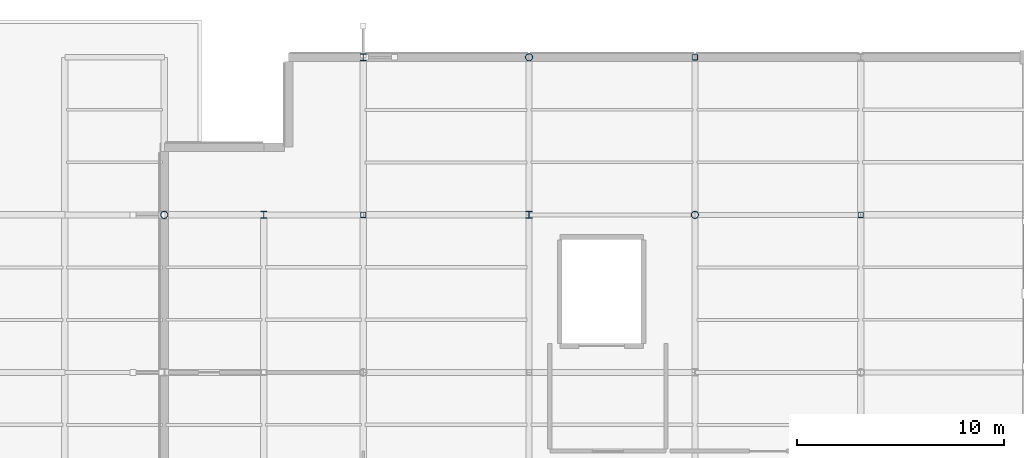
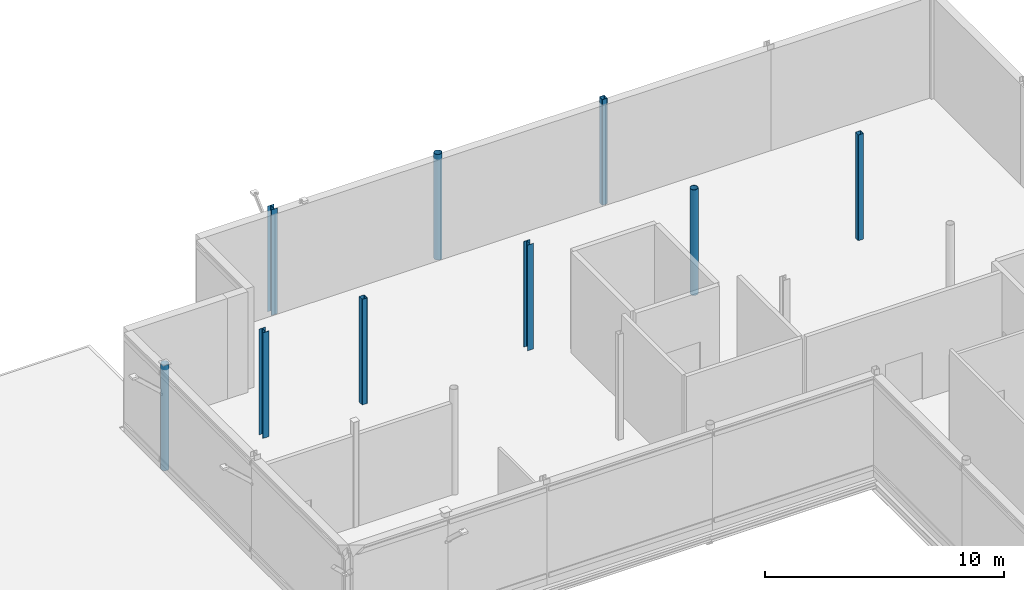
# One storey, part 21 of 147: 9 columns.
"""IFC4 building model written with IfcOpenShell, lengths in metres."""

from ifc_helpers import new_model, si_unit, direction, frame, origin, origin_2d, place, context, subcontext, project, spatial, hollow_rectangle, hollow_circle, i_section, extrude, material, material_profile, profile_set, type_object, element, save


model = new_model("IFC4")

# Units and contexts
model_context = context("Model", 3, precision=1e-05, world=origin(), true_north=direction((0.0, 1.0)))
body_context = subcontext(model_context, "Body", "Model", "MODEL_VIEW")
ifc_project = project(units=[si_unit("LENGTHUNIT", "METRE"), si_unit("AREAUNIT", "SQUARE_METRE"), si_unit("VOLUMEUNIT", "CUBIC_METRE"), si_unit("PLANEANGLEUNIT", "RADIAN"), si_unit("MASSUNIT", "GRAM", prefix="KILO")], contexts=[model_context])

# Site, building, storey
site_placement = place(None, origin())
site = spatial("IfcSite", under=ifc_project, at=site_placement, CompositionType="ELEMENT")
building_placement = place(site_placement, origin())
building = spatial("IfcBuilding", under=site, at=building_placement, Name="Vekula Escarpment Museum", CompositionType="ELEMENT")
storey_placement = place(building_placement, frame((0.0, 0.0, 7.800048828125)))
storey = spatial("IfcBuildingStorey", under=building, at=storey_placement, Name="L02", CompositionType="ELEMENT", Elevation=7.800048828125)

# Columns
ifc_material_1 = material(Name="Steel S355", Category="steel")
ifc_material_profile_1 = material_profile(ifc_material_1, hollow_circle(Radius=0.177734375, WallThickness=0.01611328125, at=origin_2d()), Name="CHS 355.6x16")
ifc_profile_set_1 = profile_set([ifc_material_profile_1], Name="Steel S355")
column_type_1 = type_object("IfcColumnType", Name="COL-S-CHS355", PredefinedType="COLUMN", material=ifc_profile_set_1)
for number, where, z_axis, x_axis, name in (
    (1, (14.39990234375, 128.39990234375, 0.0), (0.0, 0.0, 1.0), (1.0, 0.0, 0.0), "Column L02 (14.4,128.4)"),
    (2, (32.0, 136.0, 0.0), (0.0, 0.0, 1.0), (1.0, 0.0, 0.0), "Column L02 (32.0,136.0)"),
    (3, (40.0, 128.39990234375, 0.0), (0.0, 0.0, 1.0), (1.0, 0.0, 0.0), "Column L02 (40.0,128.4)"),
):
    element("IfcColumn", number, at=place(storey_placement, frame(where, z_axis=z_axis, x_axis=x_axis)), inside=storey, type_object=column_type_1, Name=name, PredefinedType="COLUMN", context=body_context, shape_type="SweptSolid", body=[
        extrude(hollow_circle(Radius=0.177734375, WallThickness=0.01611328125, at=origin_2d()), origin(), (0.0, 0.0, 1.0), 5.39990234375),
    ])
ifc_material_2 = material(Name="Steel S355", Category="steel")
ifc_material_profile_2 = material_profile(ifc_material_2, i_section(OverallWidth=0.300048828125, OverallDepth=0.330078125, WebThickness=0.009521484375, FlangeThickness=0.0166015625, FilletRadius=0.027099609375, at=origin_2d()), Name="HEA 340")
ifc_profile_set_2 = profile_set([ifc_material_profile_2], Name="Steel S355")
column_type_2 = type_object("IfcColumnType", Name="COL-S-HEA340", PredefinedType="COLUMN", material=ifc_profile_set_2)
for number, where, z_axis, x_axis, name in (
    (4, (19.199951171875, 128.39990234375, 0.0), (0.0, 0.0, 1.0), (1.0, 0.0, 0.0), "Column L02 (19.2,128.4)"),
    (5, (24.0, 136.0, 0.0), (0.0, 0.0, 1.0), (1.0, 0.0, 0.0), "Column L02 (24.0,136.0)"),
    (6, (32.0, 128.39990234375, 0.0), (0.0, 0.0, 1.0), (1.0, 0.0, 0.0), "Column L02 (32.0,128.4)"),
):
    element("IfcColumn", number, at=place(storey_placement, frame(where, z_axis=z_axis, x_axis=x_axis)), inside=storey, type_object=column_type_2, Name=name, PredefinedType="COLUMN", context=body_context, shape_type="SweptSolid", body=[
        extrude(i_section(OverallWidth=0.300048828125, OverallDepth=0.330078125, WebThickness=0.009521484375, FlangeThickness=0.0166015625, FilletRadius=0.027099609375, at=origin_2d()), origin(), (0.0, 0.0, 1.0), 5.39990234375),
    ])
ifc_material_3 = material(Name="Steel S355", Category="steel")
ifc_material_profile_3 = material_profile(ifc_material_3, hollow_rectangle(XDim=0.260009765625, YDim=0.260009765625, WallThickness=0.012451171875, InnerFilletRadius=0.012451171875, OuterFilletRadius=0.02490234375, at=origin_2d()), Name="SHS 260x260x12.5")
ifc_profile_set_3 = profile_set([ifc_material_profile_3], Name="Steel S355")
column_type_3 = type_object("IfcColumnType", Name="COL-S-SHS260", PredefinedType="COLUMN", material=ifc_profile_set_3)
for number, where, z_axis, x_axis, name in (
    (7, (24.0, 128.39990234375, 0.0), (0.0, 0.0, 1.0), (1.0, 0.0, 0.0), "Column L02 (24.0,128.4)"),
    (8, (40.0, 136.0, 0.0), (0.0, 0.0, 1.0), (1.0, 0.0, 0.0), "Column L02 (40.0,136.0)"),
    (9, (48.0, 128.39990234375, 0.0), (0.0, 0.0, 1.0), (1.0, 0.0, 0.0), "Column L02 (48.0,128.4)"),
):
    element("IfcColumn", number, at=place(storey_placement, frame(where, z_axis=z_axis, x_axis=x_axis)), inside=storey, type_object=column_type_3, Name=name, PredefinedType="COLUMN", context=body_context, shape_type="SweptSolid", body=[
        extrude(hollow_rectangle(XDim=0.260009765625, YDim=0.260009765625, WallThickness=0.012451171875, InnerFilletRadius=0.012451171875, OuterFilletRadius=0.02490234375, at=origin_2d()), origin(), (0.0, 0.0, 1.0), 5.39990234375),
    ])

save(model, "model.ifc")
